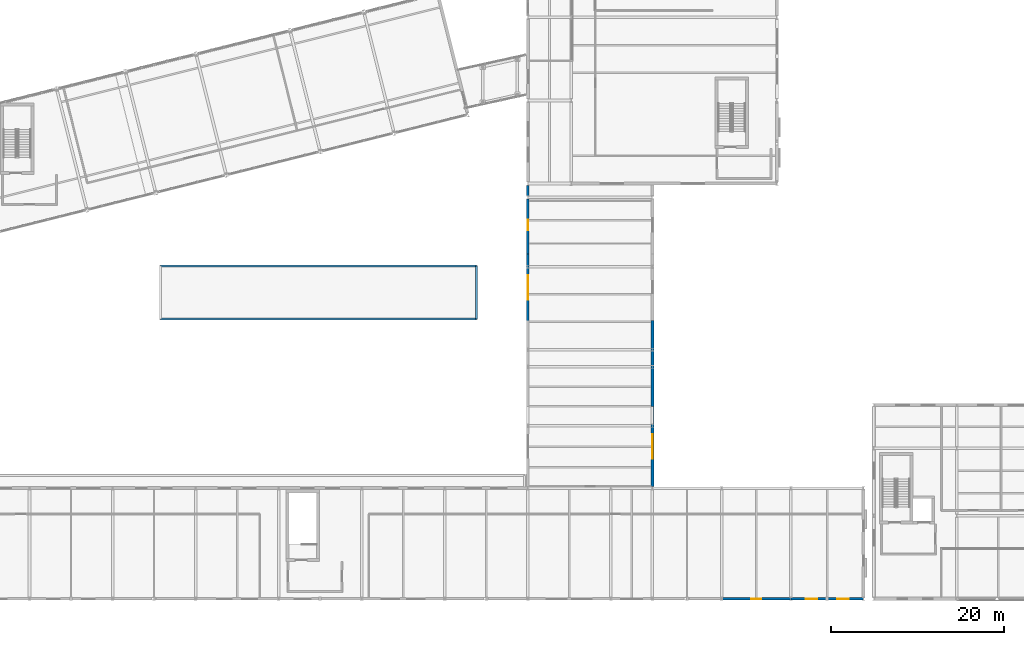
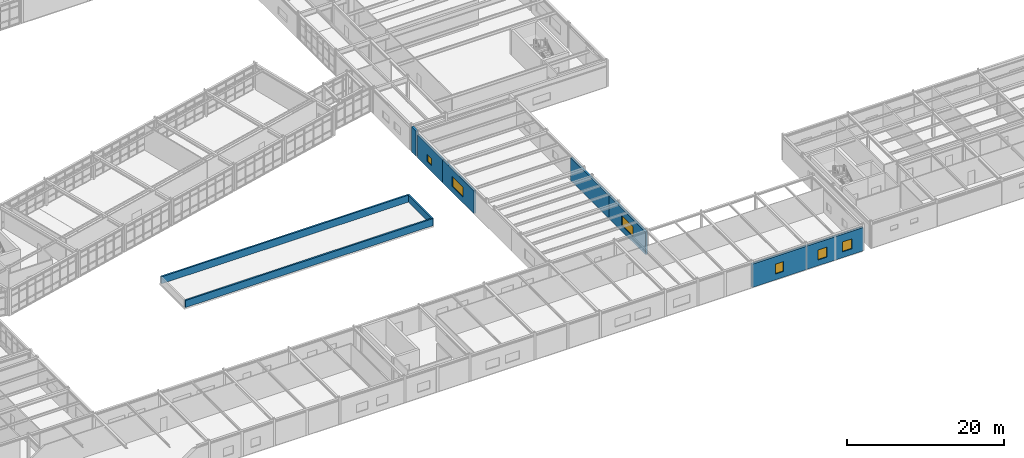
# One storey, part 82 of 99: 10 walls, 6 windows, 6 openings.
"""IFC4 building model written with IfcOpenShell, lengths in metres."""

from ifc_helpers import new_model, si_unit, direction, frame, frame_2d, origin, place, context, subcontext, project, spatial, rectangle, extrude, material, layer, layer_set, type_object, element, fill, save


model = new_model("IFC4")

# Units and contexts
model_context = context("Model", 3, precision=1e-05, world=origin(), true_north=direction((0.0, 1.0)))
body_context = subcontext(model_context, "Body", "Model", "MODEL_VIEW")
ifc_project = project(units=[si_unit("LENGTHUNIT", "METRE"), si_unit("AREAUNIT", "SQUARE_METRE"), si_unit("VOLUMEUNIT", "CUBIC_METRE"), si_unit("PLANEANGLEUNIT", "RADIAN"), si_unit("MASSUNIT", "GRAM", prefix="KILO")], contexts=[model_context])

# Site, building, storey
site_placement = place(None, origin())
site = spatial("IfcSite", under=ifc_project, at=site_placement, CompositionType="ELEMENT")
building_placement = place(site_placement, origin())
building = spatial("IfcBuilding", under=site, at=building_placement, Name="Nordkorset Police Headquarters", CompositionType="ELEMENT")
storey_placement = place(building_placement, frame((0.0, 0.0, 5.25)))
storey = spatial("IfcBuildingStorey", under=building, at=storey_placement, Name="L01", CompositionType="ELEMENT", Elevation=5.25)

# Wall, opening, window
ifc_material_1 = material(Name="Precast concrete C40/50", Category="concrete")
ifc_layer_1 = layer(ifc_material_1, 0.320068359375, Name="Precast concrete C40/50")
ifc_layer_set_1 = layer_set([ifc_layer_1], Name="Precast concrete C40/50")
wall_type_1 = type_object("IfcWallType", Name="Wall_ExtPlinth_320", PredefinedType="SOLIDWALL", material=ifc_layer_set_1)
wall_1_placement = place(storey_placement, frame((108.80810546875, 0.0, 0.0), z_axis=(0.0, 0.0, 1.0), x_axis=(1.0, 0.0, 0.0)))
wall_1 = element("IfcWall", 1, at=wall_1_placement, inside=storey, type_object=wall_type_1, Name="Exterior Insulated Precast Wall L01 V7S-12", PredefinedType="SOLIDWALL", context=body_context, shape_type="SweptSolid", body=[
    extrude(rectangle(XDim=7.98388671875, YDim=0.320068359375, at=frame_2d((3.991943359375, 0.0))), origin(), (0.0, 0.0, 1.0), 3.635009765625),
])
opening_1_placement = place(wall_1_placement, frame((3.39208984375, 0.0, 0.89990234375)))
opening_1 = element("IfcOpeningElement", 2, at=opening_1_placement, cuts=wall_1, Name="Opening WN-45", PredefinedType="OPENING", context=body_context, shape_type="SweptSolid", body=[
    extrude(rectangle(XDim=1.199951171875, YDim=1.550048828125, at=frame_2d((0.60009765625, 0.77490234375))), frame((0.0, 0.169921875, 0.0), z_axis=(0.0, -1.0, 0.0), x_axis=(1.0, 0.0, 0.0)), (0.0, 0.0, 1.0), 0.340087890625),
])
ifc_material_2 = material(Name="Low-iron triple glazing", Category="glass")
window_type_1 = type_object("IfcWindowType", Name="Win_1200x1550", PartitioningType="SINGLE_PANEL", PredefinedType="WINDOW", material=ifc_material_2)
window_1_placement = place(opening_1_placement, origin())
window_1 = element("IfcWindow", 3, at=window_1_placement, inside=storey, type_object=window_type_1, Name="Triple-Glazed Exterior Window L01 V7S-12-1", OverallHeight=1.550048828125, OverallWidth=1.199951171875, PartitioningType="SINGLE_PANEL", PredefinedType="WINDOW", context=body_context, shape_type="SweptSolid", body=[
    extrude(rectangle(XDim=1.199951171875, YDim=1.550048828125, at=frame_2d((0.60009765625, 0.77490234375))), frame((0.0, 0.030029296875, 0.0), z_axis=(0.0, -1.0, 0.0), x_axis=(1.0, 0.0, 0.0)), (0.0, 0.0, 1.0), 0.06005859375),
])
fill(opening_1, window_1)

# Wall, openings, windows
wall_2_placement = place(storey_placement, frame((116.80810546875, 0.0, 0.0), z_axis=(0.0, 0.0, 1.0), x_axis=(1.0, 0.0, 0.0)))
wall_2 = element("IfcWall", 4, at=wall_2_placement, inside=storey, type_object=wall_type_1, Name="Exterior Insulated Precast Wall L01 V7S-13", PredefinedType="SOLIDWALL", context=body_context, shape_type="SweptSolid", body=[
    extrude(rectangle(XDim=8.3837890625, YDim=0.320068359375, at=frame_2d((4.19189453125, 0.0))), origin(), (0.0, 0.0, 1.0), 3.635009765625),
])
opening_2_placement = place(wall_2_placement, frame((1.7001953125, 0.0, 0.89990234375)))
opening_2 = element("IfcOpeningElement", 5, at=opening_2_placement, cuts=wall_2, Name="Opening WN-22", PredefinedType="OPENING", context=body_context, shape_type="SweptSolid", body=[
    extrude(rectangle(XDim=1.35009765625, YDim=1.550048828125, at=frame_2d((0.675048828125, 0.77490234375))), frame((0.0, 0.169921875, 0.0), z_axis=(0.0, -1.0, 0.0), x_axis=(1.0, 0.0, 0.0)), (0.0, 0.0, 1.0), 0.340087890625),
])
opening_3_placement = place(wall_2_placement, frame((5.333740234375, 0.0, 0.89990234375)))
opening_3 = element("IfcOpeningElement", 6, at=opening_3_placement, cuts=wall_2, Name="Opening WN-22", PredefinedType="OPENING", context=body_context, shape_type="SweptSolid", body=[
    extrude(rectangle(XDim=1.35009765625, YDim=1.550048828125, at=frame_2d((0.675048828125, 0.77490234375))), frame((0.0, 0.169921875, 0.0), z_axis=(0.0, -1.0, 0.0), x_axis=(1.0, 0.0, 0.0)), (0.0, 0.0, 1.0), 0.340087890625),
])
ifc_material_3 = material(Name="Low-iron triple glazing", Category="glass")
window_type_2 = type_object("IfcWindowType", Name="Win_1350x1550", PartitioningType="SINGLE_PANEL", PredefinedType="WINDOW", material=ifc_material_3)
window_2_placement = place(opening_2_placement, origin())
window_2 = element("IfcWindow", 7, at=window_2_placement, inside=storey, type_object=window_type_2, Name="Triple-Glazed Exterior Window L01 V7S-13-1", OverallHeight=1.550048828125, OverallWidth=1.35009765625, PartitioningType="SINGLE_PANEL", PredefinedType="WINDOW", context=body_context, shape_type="SweptSolid", body=[
    extrude(rectangle(XDim=1.35009765625, YDim=1.550048828125, at=frame_2d((0.675048828125, 0.77490234375))), frame((0.0, 0.030029296875, 0.0), z_axis=(0.0, -1.0, 0.0), x_axis=(1.0, 0.0, 0.0)), (0.0, 0.0, 1.0), 0.06005859375),
])
fill(opening_2, window_2)
window_3_placement = place(opening_3_placement, origin())
window_3 = element("IfcWindow", 8, at=window_3_placement, inside=storey, type_object=window_type_2, Name="Triple-Glazed Exterior Window L01 V7S-13-2", OverallHeight=1.550048828125, OverallWidth=1.35009765625, PartitioningType="SINGLE_PANEL", PredefinedType="WINDOW", context=body_context, shape_type="SweptSolid", body=[
    extrude(rectangle(XDim=1.35009765625, YDim=1.550048828125, at=frame_2d((0.675048828125, 0.77490234375))), frame((0.0, 0.030029296875, 0.0), z_axis=(0.0, -1.0, 0.0), x_axis=(1.0, 0.0, 0.0)), (0.0, 0.0, 1.0), 0.06005859375),
])
fill(opening_3, window_3)

# Wall, opening, window
wall_3_placement = place(storey_placement, frame((86.39990234375, 31.840087890625, 0.0), z_axis=(0.0, 0.0, 1.0), x_axis=(0.0, 1.0, 0.0)))
wall_3 = element("IfcWall", 9, at=wall_3_placement, inside=storey, type_object=wall_type_1, Name="Exterior Insulated Precast Wall L01 V7E-IN-2", PredefinedType="SOLIDWALL", context=body_context, shape_type="SweptSolid", body=[
    extrude(rectangle(XDim=8.31982421875, YDim=0.320068359375, at=frame_2d((4.159912109375, 0.0))), origin(), (0.0, 0.0, 1.0), 3.554931640625),
])
opening_4_placement = place(wall_3_placement, frame((2.735107421875, 0.0, 0.89990234375)))
opening_4 = element("IfcOpeningElement", 10, at=opening_4_placement, cuts=wall_3, Name="Opening WN-42", PredefinedType="OPENING", context=body_context, shape_type="SweptSolid", body=[
    extrude(rectangle(XDim=2.85009765625, YDim=1.550048828125, at=frame_2d((1.425048828125, 0.77490234375))), frame((0.0, 0.169921875, 0.0), z_axis=(0.0, -1.0, 0.0), x_axis=(1.0, 0.0, 0.0)), (0.0, 0.0, 1.0), 0.340087890625),
])
ifc_material_4 = material(Name="Low-iron triple glazing", Category="glass")
window_type_3 = type_object("IfcWindowType", Name="Win_2850x1550", PartitioningType="SINGLE_PANEL", PredefinedType="WINDOW", material=ifc_material_4)
window_4_placement = place(opening_4_placement, origin())
window_4 = element("IfcWindow", 11, at=window_4_placement, inside=storey, type_object=window_type_3, Name="Triple-Glazed Exterior Window L01 V7E-IN-2-1", OverallHeight=1.550048828125, OverallWidth=2.85009765625, PartitioningType="SINGLE_PANEL", PredefinedType="WINDOW", context=body_context, shape_type="SweptSolid", body=[
    extrude(rectangle(XDim=2.85009765625, YDim=1.550048828125, at=frame_2d((1.425048828125, 0.77490234375))), frame((0.0, 0.030029296875, 0.0), z_axis=(0.0, -1.0, 0.0), x_axis=(1.0, 0.0, 0.0)), (0.0, 0.0, 1.0), 0.06005859375),
])
fill(opening_4, window_4)

wall_4_placement = place(storey_placement, frame((86.39990234375, 39.840087890625, 0.0), z_axis=(0.0, 0.0, 1.0), x_axis=(0.0, 1.0, 0.0)))
wall_4 = element("IfcWall", 12, at=wall_4_placement, inside=storey, type_object=wall_type_1, Name="Exterior Insulated Precast Wall L01 V7E-IN-3", PredefinedType="SOLIDWALL", context=body_context, shape_type="SweptSolid", body=[
    extrude(rectangle(XDim=6.387939453125, YDim=0.320068359375, at=frame_2d((3.19384765625, 0.0))), origin(), (0.0, 0.0, 1.0), 3.554931640625),
])
opening_5_placement = place(wall_4_placement, frame((2.760009765625, 0.0, 0.89990234375)))
opening_5 = element("IfcOpeningElement", 13, at=opening_5_placement, cuts=wall_4, Name="Opening WN-19", PredefinedType="OPENING", context=body_context, shape_type="SweptSolid", body=[
    extrude(rectangle(XDim=1.199951171875, YDim=1.14990234375, at=frame_2d((0.60009765625, 0.574951171875))), frame((0.0, 0.169921875, 0.0), z_axis=(0.0, -1.0, 0.0), x_axis=(1.0, 0.0, 0.0)), (0.0, 0.0, 1.0), 0.340087890625),
])
ifc_material_5 = material(Name="Low-iron triple glazing", Category="glass")
window_type_4 = type_object("IfcWindowType", Name="Win_1200x1150", PartitioningType="SINGLE_PANEL", PredefinedType="WINDOW", material=ifc_material_5)
window_5_placement = place(opening_5_placement, origin())
window_5 = element("IfcWindow", 14, at=window_5_placement, inside=storey, type_object=window_type_4, Name="Triple-Glazed Exterior Window L01 V7E-IN-3-1", OverallHeight=1.14990234375, OverallWidth=1.199951171875, PartitioningType="SINGLE_PANEL", PredefinedType="WINDOW", context=body_context, shape_type="SweptSolid", body=[
    extrude(rectangle(XDim=1.199951171875, YDim=1.14990234375, at=frame_2d((0.60009765625, 0.574951171875))), frame((0.0, 0.030029296875, 0.0), z_axis=(0.0, -1.0, 0.0), x_axis=(1.0, 0.0, 0.0)), (0.0, 0.0, 1.0), 0.06005859375),
])
fill(opening_5, window_5)

wall_5_placement = place(storey_placement, frame((100.800048828125, 12.971923828125, 0.0), z_axis=(0.0, 0.0, 1.0), x_axis=(0.0, 1.0, 0.0)))
wall_5 = element("IfcWall", 15, at=wall_5_placement, inside=storey, type_object=wall_type_1, Name="Exterior Insulated Precast Wall L01 V7E-OUT-0", PredefinedType="SOLIDWALL", context=body_context, shape_type="SweptSolid", body=[
    extrude(rectangle(XDim=9.588134765625, YDim=0.320068359375, at=frame_2d((4.7939453125, 0.0))), origin(), (0.0, 0.0, 1.0), 3.554931640625),
])
opening_6_placement = place(wall_5_placement, frame((3.202880859375, 0.0, 0.89990234375)))
opening_6 = element("IfcOpeningElement", 16, at=opening_6_placement, cuts=wall_5, Name="Opening WN-42", PredefinedType="OPENING", context=body_context, shape_type="SweptSolid", body=[
    extrude(rectangle(XDim=2.85009765625, YDim=1.550048828125, at=frame_2d((1.425048828125, 0.77490234375))), frame((0.0, 0.169921875, 0.0), z_axis=(0.0, -1.0, 0.0), x_axis=(1.0, 0.0, 0.0)), (0.0, 0.0, 1.0), 0.340087890625),
])
window_6_placement = place(opening_6_placement, origin())
window_6 = element("IfcWindow", 17, at=window_6_placement, inside=storey, type_object=window_type_3, Name="Triple-Glazed Exterior Window L01 V7E-OUT-0-1", OverallHeight=1.550048828125, OverallWidth=2.85009765625, PartitioningType="SINGLE_PANEL", PredefinedType="WINDOW", context=body_context, shape_type="SweptSolid", body=[
    extrude(rectangle(XDim=2.85009765625, YDim=1.550048828125, at=frame_2d((1.425048828125, 0.77490234375))), frame((0.0, 0.030029296875, 0.0), z_axis=(0.0, -1.0, 0.0), x_axis=(1.0, 0.0, 0.0)), (0.0, 0.0, 1.0), 0.06005859375),
])
fill(opening_6, window_6)

# Walls
wall_6_placement = place(storey_placement, frame((100.800048828125, 22.239990234375, 0.0), z_axis=(0.0, 0.0, 1.0), x_axis=(0.0, 1.0, 0.0)))
element("IfcWall", 18, at=wall_6_placement, inside=storey, type_object=wall_type_1, Name="Exterior Insulated Precast Wall L01 V7E-OUT-1", PredefinedType="SOLIDWALL", context=body_context, shape_type="SweptSolid", body=[
    extrude(rectangle(XDim=9.919921875, YDim=0.320068359375, at=frame_2d((4.9599609375, 0.0))), origin(), (0.0, 0.0, 1.0), 3.554931640625),
])
wall_7_placement = place(storey_placement, frame((86.39990234375, 46.572021484375, 0.0), z_axis=(0.0, 0.0, 1.0), x_axis=(0.0, 1.0, 0.0)))
element("IfcWall", 19, at=wall_7_placement, inside=storey, type_object=wall_type_1, Name="Exterior Insulated Precast Wall L01 V7E-JNC-I", PredefinedType="SOLIDWALL", context=body_context, shape_type="SweptSolid", body=[
    extrude(rectangle(XDim=1.22607421875, YDim=0.320068359375, at=frame_2d((0.613037109375, 0.0))), origin(), (0.0, 0.0, 1.0), 3.89990234375),
])
ifc_material_6 = material(Name="Precast concrete C40/50", Category="concrete")
ifc_layer_2 = layer(ifc_material_6, 0.239990234375, Name="Precast concrete C40/50")
ifc_layer_set_2 = layer_set([ifc_layer_2], Name="Precast concrete C40/50")
wall_type_2 = type_object("IfcWallType", Name="Wall_Parapet_240", PredefinedType="PARAPET", material=ifc_layer_set_2)
wall_8_placement = place(storey_placement, frame((43.949951171875, 32.35009765625, -0.06494140625), z_axis=(0.0, 0.0, 1.0), x_axis=(1.0, 0.0, 0.0)))
element("IfcWall", 20, at=wall_8_placement, inside=storey, type_object=wall_type_2, Name="Flat Roof Parapet Wall RAMPHOOD-L01-1", PredefinedType="PARAPET", context=body_context, shape_type="SweptSolid", body=[
    extrude(rectangle(XDim=36.5, YDim=0.239990234375, at=frame_2d((18.25, 0.0))), origin(), (0.0, 0.0, 1.0), 1.099853515625),
])
wall_9_placement = place(storey_placement, frame((80.449951171875, 32.35009765625, -0.06494140625), z_axis=(0.0, 0.0, 1.0), x_axis=(0.0, 1.0, 0.0)))
element("IfcWall", 21, at=wall_9_placement, inside=storey, type_object=wall_type_2, Name="Flat Roof Parapet Wall RAMPHOOD-L01-2", PredefinedType="PARAPET", context=body_context, shape_type="SweptSolid", body=[
    extrude(rectangle(XDim=6.099853515625, YDim=0.239990234375, at=frame_2d((3.0498046875, 0.0))), origin(), (0.0, 0.0, 1.0), 1.099853515625),
])
wall_10_placement = place(storey_placement, frame((80.449951171875, 38.449951171875, -0.06494140625), z_axis=(0.0, 0.0, 1.0), x_axis=(-1.0, 0.0, 0.0)))
element("IfcWall", 22, at=wall_10_placement, inside=storey, type_object=wall_type_2, Name="Flat Roof Parapet Wall RAMPHOOD-L01-3", PredefinedType="PARAPET", context=body_context, shape_type="SweptSolid", body=[
    extrude(rectangle(XDim=36.5, YDim=0.239990234375, at=frame_2d((18.25, 0.0))), origin(), (0.0, 0.0, 1.0), 1.099853515625),
])

save(model, "model.ifc")
